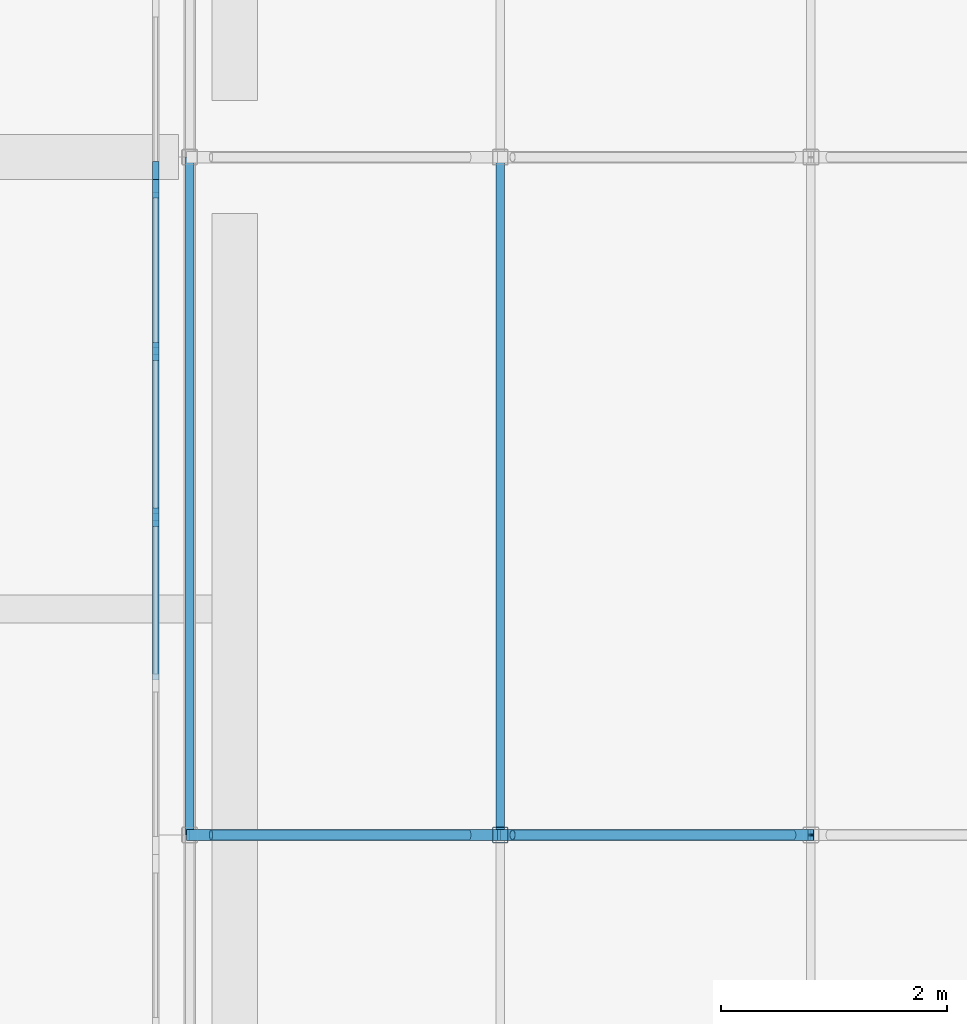
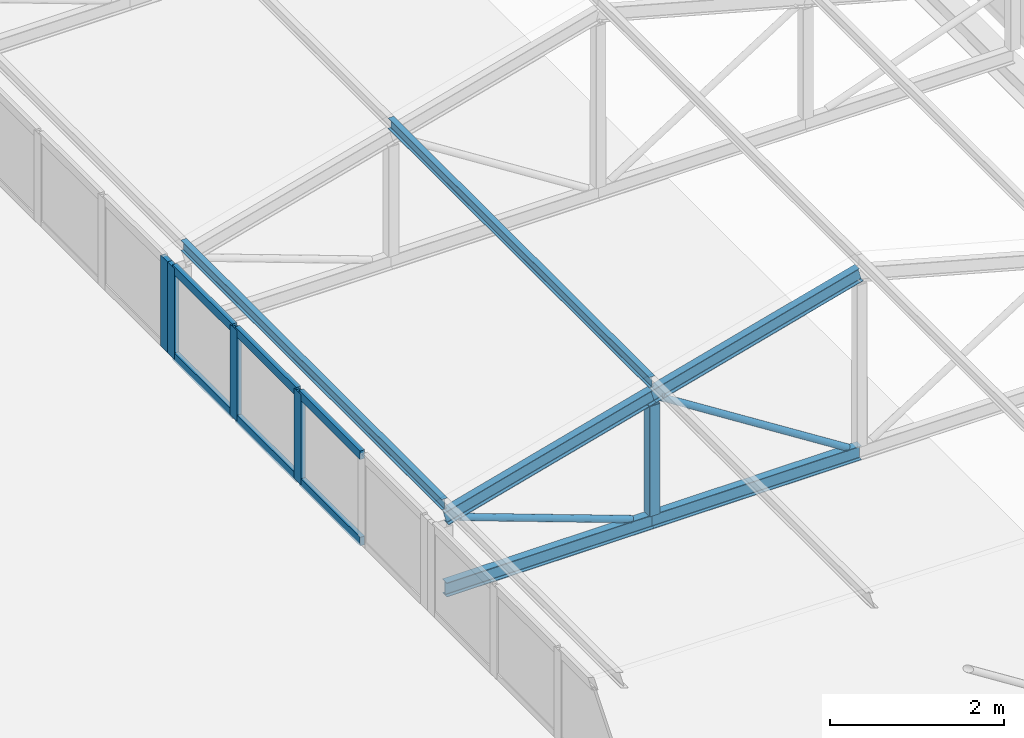
# One storey, part 43 of 94: 19 members, 2 elements without a shape of their own.
"""IFC4 building model written with IfcOpenShell, lengths in metres."""

import ifcopenshell
import ifcopenshell.guid

model = None  # the IFC model being written
_history = None  # IfcOwnerHistory: only IFC2X3 demands one
_inside = {}  # id of a spatial element -> (the spatial element, [elements in it])
_under = {}  # id of a project, library or spatial element -> (it, [spatial elements below it])
_declared = {}  # id of a project -> (the project, [libraries it declares])
_typed = {}  # id of a type object -> (the type object, [elements of that type])
_made_of = {}  # id of a material, layer set ... -> (it, [elements and type objects made of it])


def new_model(schema):
    """Start an empty IFC model of exactly this schema.

    Asked for "IFC4X3", IfcOpenShell would pick the latest addendum, in which some entities
    have other attributes; the version numbers below select the first issue.
    IFC2X3 requires an IfcOwnerHistory on every rooted entity: one is made here for all.
    """
    global model, _history
    if schema == "IFC4X3":
        model = ifcopenshell.file(schema_version=(4, 3, 0, 0))
    else:
        model = ifcopenshell.file(schema=schema)
    _inside.clear()
    _under.clear()
    _declared.clear()
    _typed.clear()
    _made_of.clear()
    _history = None
    if model.schema == "IFC2X3":
        org = make("IfcOrganization", Name="unknown")
        user = make(
            "IfcPersonAndOrganization",
            ThePerson=make("IfcPerson", FamilyName="unknown"),
            TheOrganization=org,
        )
        app = make(
            "IfcApplication",
            ApplicationDeveloper=org,
            Version="unknown",
            ApplicationFullName="unknown",
            ApplicationIdentifier="unknown",
        )
        _history = make(
            "IfcOwnerHistory",
            OwningUser=user,
            OwningApplication=app,
            ChangeAction="ADDED",
            CreationDate=0,
        )
    return model


def make(cls, **values):
    """One entity of the class cls with the attributes given. An attribute that is None is left unset."""
    return model.create_entity(
        cls, **{name: value for name, value in values.items() if value is not None}
    )


def rooted(cls, **values):
    """An entity with a GlobalId (a new one), such as an element, a storey or a relation."""
    return make(cls, GlobalId=ifcopenshell.guid.new(), OwnerHistory=_history, **values)


def si_unit(unit_type, name, prefix=None):
    """IfcSIUnit, for example si_unit("LENGTHUNIT", "METRE", prefix="MILLI")."""
    return make("IfcSIUnit", UnitType=unit_type, Prefix=prefix, Name=name)


def assignment(units):
    """IfcUnitAssignment: the units of a project."""
    return None if units is None else make("IfcUnitAssignment", Units=units)


def point(xyz):
    """IfcCartesianPoint."""
    return None if xyz is None else make("IfcCartesianPoint", Coordinates=xyz)


def direction(xyz):
    """IfcDirection."""
    return None if xyz is None else make("IfcDirection", DirectionRatios=xyz)


def frame(location, z_axis=None, x_axis=None):
    """IfcAxis2Placement3D, a coordinate frame: its origin and axes. An axis left out is left unset."""
    return make(
        "IfcAxis2Placement3D",
        Location=point(location),
        Axis=direction(z_axis),
        RefDirection=direction(x_axis),
    )


def frame_2d(location, x_axis=None):
    """IfcAxis2Placement2D, a coordinate frame in the plane: its origin and x axis."""
    return make(
        "IfcAxis2Placement2D", Location=point(location), RefDirection=direction(x_axis)
    )


def origin():
    """The frame at (0, 0, 0) with its axes left unset."""
    return frame((0.0, 0.0, 0.0))


def origin_2d():
    """The frame at (0, 0) in the plane with its x axis left unset."""
    return frame_2d((0.0, 0.0))


def place(relative_to, where):
    """IfcLocalPlacement: puts the frame where relative to a parent placement (None: the world)."""
    return make(
        "IfcLocalPlacement", PlacementRelTo=relative_to, RelativePlacement=where
    )


def context(
    kind, dimensions, precision=None, world=None, true_north=None, identifier=None
):
    """IfcGeometricRepresentationContext, for example the 3D "Model" context."""
    return make(
        "IfcGeometricRepresentationContext",
        ContextIdentifier=identifier,
        ContextType=kind,
        CoordinateSpaceDimension=dimensions,
        Precision=precision,
        WorldCoordinateSystem=world,
        TrueNorth=true_north,
    )


def subcontext(parent, identifier, kind, view, scale=None):
    """IfcGeometricRepresentationSubContext, for example "Body" below "Model"."""
    return make(
        "IfcGeometricRepresentationSubContext",
        ContextIdentifier=identifier,
        ContextType=kind,
        ParentContext=parent,
        TargetScale=scale,
        TargetView=view,
    )


def project(units=None, contexts=None):
    """IfcProject with its units and contexts."""
    return rooted(
        "IfcProject",
        Name="project",
        RepresentationContexts=contexts,
        UnitsInContext=assignment(units),
    )


def spatial(cls, under=None, at=None, **own):
    """A site, building, storey or space (cls), placed at a placement, below another one or the project."""
    s = rooted(cls, ObjectPlacement=at, **own)
    if under is not None:
        _under.setdefault(under.id(), (under, []))[1].append(s)
    return s


def profile(cls, at=None, kind="AREA", **sizes):
    """A parametric profile (cls). Its sizes go by their IFC names, for example OverallWidth=200.0."""
    return make(cls, ProfileType=kind, Position=at, **sizes)


def rectangle(**sizes):
    """IfcRectangleProfileDef."""
    return profile("IfcRectangleProfileDef", **sizes)


def hollow_rectangle(**sizes):
    """IfcRectangleHollowProfileDef."""
    return profile("IfcRectangleHollowProfileDef", **sizes)


def hollow_circle(**sizes):
    """IfcCircleHollowProfileDef."""
    return profile("IfcCircleHollowProfileDef", **sizes)


def i_section(**sizes):
    """IfcIShapeProfileDef."""
    return profile("IfcIShapeProfileDef", **sizes)


def extrude(swept, where, along, depth):
    """IfcExtrudedAreaSolid: the profile swept, set in the frame where, extruded along a direction by depth."""
    return make(
        "IfcExtrudedAreaSolid",
        SweptArea=swept,
        Position=where,
        ExtrudedDirection=direction(along),
        Depth=depth,
    )


def shape(context_of_items, identifier, shape_type, items):
    """IfcShapeRepresentation: the items that make up one representation, for example the "Body"."""
    return make(
        "IfcShapeRepresentation",
        ContextOfItems=context_of_items,
        RepresentationIdentifier=identifier,
        RepresentationType=shape_type,
        Items=items,
    )


def material(Name=None, Category=None):
    """IfcMaterial."""
    return make("IfcMaterial", Name=Name, Category=Category)


def layer(
    of_material, thickness, ventilated=None, Name=None, Category=None, Priority=None
):
    """IfcMaterialLayer: one layer of a wall or slab, of a material (None: an air gap)."""
    return make(
        "IfcMaterialLayer",
        Material=of_material,
        LayerThickness=thickness,
        IsVentilated=ventilated,
        Name=Name,
        Category=Category,
        Priority=Priority,
    )


def layer_set(layers, Name=None):
    """IfcMaterialLayerSet."""
    return make("IfcMaterialLayerSet", MaterialLayers=layers, LayerSetName=Name)


def material_profile(
    of_material, cross_section, Name=None, Category=None, Priority=None
):
    """IfcMaterialProfile: a cross section and its material."""
    return make(
        "IfcMaterialProfile",
        Name=Name,
        Material=of_material,
        Profile=cross_section,
        Priority=Priority,
        Category=Category,
    )


def profile_set(profiles, Name=None, composite=None):
    """IfcMaterialProfileSet."""
    return make(
        "IfcMaterialProfileSet",
        Name=Name,
        MaterialProfiles=profiles,
        CompositeProfile=composite,
    )


def made_of(thing, what):
    """Note that an element or type object is made of a material, layer set ...; save() writes the relation."""
    if what is not None:
        _made_of.setdefault(what.id(), (what, []))[1].append(thing)
    return thing


def type_object(cls, material=None, **own):
    """A type object (cls), such as IfcWallType, which elements share."""
    return made_of(rooted(cls, **own), material)


def element(
    cls,
    number,
    at=None,
    inside=None,
    cuts=None,
    type_object=None,
    material=None,
    context=None,
    identifier="Body",
    shape_type=None,
    held_by="IfcProductDefinitionShape",
    body=None,
    shapes=None,
    **own,
):
    """One element of the class cls, such as IfcWall. Its Tag is "e" and its number.

    at: its placement. inside: the storey or other place that contains it. cuts: it is an
    opening in that element (IfcRelVoidsElement). A single representation is given by context,
    identifier, shape_type and body (its items); several are given by shapes. held_by: the class
    of the entity that holds the representations. save() writes the other relations.
    """
    e = rooted(cls, Tag="e%d" % number, ObjectPlacement=at, **own)
    if body is not None:
        shapes = [shape(context, identifier, shape_type, body)]
    if shapes is not None:
        e.Representation = make(held_by, Representations=shapes)
    if inside is not None:
        _inside.setdefault(inside.id(), (inside, []))[1].append(e)
    if cuts is not None:
        rooted(
            "IfcRelVoidsElement", RelatingBuildingElement=cuts, RelatedOpeningElement=e
        )
    if type_object is not None:
        _typed.setdefault(type_object.id(), (type_object, []))[1].append(e)
    return made_of(e, material)


def aggregate(whole, parts):
    """IfcRelAggregates: a whole, such as a stair, and the parts it consists of."""
    return rooted("IfcRelAggregates", RelatingObject=whole, RelatedObjects=parts)


def save(model, path):
    """Write the relations noted so far, then the file.

    IfcRelAggregates (storeys below a building ...), IfcRelContainedInSpatialStructure (elements
    in a storey), IfcRelDefinesByType, IfcRelAssociatesMaterial and IfcRelDeclares: one each for
    every whole, place, type object, material and project.
    """
    for whole, parts in _under.values():
        aggregate(whole, parts)
    for where, things in _inside.values():
        rooted(
            "IfcRelContainedInSpatialStructure",
            RelatedElements=things,
            RelatingStructure=where,
        )
    for kind, things in _typed.values():
        rooted("IfcRelDefinesByType", RelatedObjects=things, RelatingType=kind)
    for what, things in _made_of.values():
        rooted("IfcRelAssociatesMaterial", RelatedObjects=things, RelatingMaterial=what)
    for by, libraries in _declared.values():
        rooted("IfcRelDeclares", RelatingContext=by, RelatedDefinitions=libraries)
    model.write(path)


model = new_model("IFC4")

# Units and contexts
model_context = context("Model", 3, precision=1e-05, world=origin(), true_north=direction((0.0, 1.0)))
body_context = subcontext(model_context, "Body", "Model", "MODEL_VIEW")
ifc_project = project(units=[si_unit("LENGTHUNIT", "METRE"), si_unit("AREAUNIT", "SQUARE_METRE"), si_unit("VOLUMEUNIT", "CUBIC_METRE"), si_unit("PLANEANGLEUNIT", "RADIAN"), si_unit("MASSUNIT", "GRAM", prefix="KILO")], contexts=[model_context])

# Site, building, storey
site_placement = place(None, origin())
site = spatial("IfcSite", under=ifc_project, at=site_placement, CompositionType="ELEMENT")
building_placement = place(site_placement, origin())
building = spatial("IfcBuilding", under=site, at=building_placement, Name="Lilac Gate Convention Centre", CompositionType="ELEMENT")
storey_placement = place(building_placement, frame((0.0, 0.0, 21.0)))
storey = spatial("IfcBuildingStorey", under=building, at=storey_placement, Name="L04", CompositionType="ELEMENT", Elevation=21.0)

# Curtain wall, members
ifc_material_1 = material(Name="Aluminium framed double glazing", Category="aluminium")
ifc_layer = layer(ifc_material_1, 0.199951171875)
ifc_layer_set = layer_set([ifc_layer], Name="Aluminium framed double glazing")
curtain_wall_type = type_object("IfcCurtainWallType", Name="Unitised curtain wall 1500", PredefinedType="NOTDEFINED", material=ifc_layer_set)
curtain_wall_1_placement = place(storey_placement, origin())
curtain_wall_1 = element("IfcCurtainWall", 1, at=curtain_wall_1_placement, inside=storey, type_object=curtain_wall_type, Name="Lantern clerestory W 24", PredefinedType="NOTDEFINED")
ifc_material_2 = material(Name="Aluminium alloy 6063", Category="aluminium")
ifc_material_profile_1 = material_profile(ifc_material_2, rectangle(XDim=0.06005859375, YDim=0.159912109375, at=origin_2d()), Name="Curtain wall mullion 60 x 160")
ifc_profile_set_1 = profile_set([ifc_material_profile_1], Name="Aluminium alloy 6063")
member_type_1 = type_object("IfcMemberType", Name="Curtain wall mullion 60 x 160", PredefinedType="MULLION", material=ifc_profile_set_1)
member_1_placement = place(storey_placement, frame((17.300048828125, 170.8125, 0.0), z_axis=(0.0, 0.0, 1.0), x_axis=(-1.0, 0.0, 0.0)))
member_1 = element("IfcMember", 2, at=member_1_placement, type_object=member_type_1, Name="CW mullion 3", PredefinedType="MULLION", context=body_context, shape_type="SweptSolid", body=[
    extrude(rectangle(XDim=0.06005859375, YDim=0.159912109375, at=origin_2d()), origin(), (0.0, 0.0, 1.0), 1.272216796875),
])
member_2_placement = place(storey_placement, frame((17.300048828125, 172.28125, 0.0), z_axis=(0.0, 0.0, 1.0), x_axis=(-1.0, 0.0, 0.0)))
member_2 = element("IfcMember", 3, at=member_2_placement, type_object=member_type_1, Name="CW mullion 4", PredefinedType="MULLION", context=body_context, shape_type="SweptSolid", body=[
    extrude(rectangle(XDim=0.06005859375, YDim=0.159912109375, at=origin_2d()), origin(), (0.0, 0.0, 1.0), 1.272216796875),
])
member_3_placement = place(storey_placement, frame((17.300048828125, 173.719970703125, 0.0), z_axis=(0.0, 0.0, 1.0), x_axis=(-1.0, 0.0, 0.0)))
member_3 = element("IfcMember", 4, at=member_3_placement, type_object=member_type_1, Name="CW mullion 5", PredefinedType="MULLION", context=body_context, shape_type="SweptSolid", body=[
    extrude(rectangle(XDim=0.06005859375, YDim=0.159912109375, at=origin_2d()), origin(), (0.0, 0.0, 1.0), 1.272216796875),
])

# Curtain wall, member
curtain_wall_2_placement = place(storey_placement, origin())
curtain_wall_2 = element("IfcCurtainWall", 5, at=curtain_wall_2_placement, inside=storey, type_object=curtain_wall_type, Name="Lantern clerestory W 25", PredefinedType="NOTDEFINED")
member_4_placement = place(storey_placement, frame((17.300048828125, 173.880126953125, 0.0), z_axis=(0.0, 0.0, 1.0), x_axis=(-1.0, 0.0, 0.0)))
member_4 = element("IfcMember", 6, at=member_4_placement, type_object=member_type_1, Name="CW mullion 1", PredefinedType="MULLION", context=body_context, shape_type="SweptSolid", body=[
    extrude(rectangle(XDim=0.06005859375, YDim=0.159912109375, at=origin_2d()), origin(), (0.0, 0.0, 1.0), 1.272216796875),
])
aggregate(curtain_wall_2, [member_4])

# Member
ifc_material_profile_2 = material_profile(ifc_material_2, rectangle(XDim=0.06005859375, YDim=0.1201171875, at=origin_2d()), Name="Curtain wall transom 60 x 120")
ifc_profile_set_2 = profile_set([ifc_material_profile_2], Name="Aluminium alloy 6063")
member_type_2 = type_object("IfcMemberType", Name="Curtain wall transom 60 x 120", PredefinedType="USERDEFINED", material=ifc_profile_set_2)
member_5_placement = place(storey_placement, frame((17.300048828125, 169.373779296875, 0.030029296875), z_axis=(0.0, 1.0, 0.0), x_axis=(-1.0, 0.0, 0.0)))
member_5 = element("IfcMember", 7, at=member_5_placement, type_object=member_type_2, Name="CW transom 2.1", ObjectType="TRANSOM", PredefinedType="USERDEFINED", context=body_context, shape_type="SweptSolid", body=[
    extrude(rectangle(XDim=0.06005859375, YDim=0.1201171875, at=origin_2d()), origin(), (0.0, 0.0, 1.0), 1.40869140625),
])

member_6_placement = place(storey_placement, frame((17.300048828125, 169.373779296875, 1.2421875), z_axis=(0.0, 1.0, 0.0), x_axis=(-1.0, 0.0, 0.0)))
member_6 = element("IfcMember", 8, at=member_6_placement, type_object=member_type_2, Name="CW transom 2.2", ObjectType="TRANSOM", PredefinedType="USERDEFINED", context=body_context, shape_type="SweptSolid", body=[
    extrude(rectangle(XDim=0.06005859375, YDim=0.1201171875, at=origin_2d()), origin(), (0.0, 0.0, 1.0), 1.40869140625),
])

member_7_placement = place(storey_placement, frame((17.300048828125, 170.842529296875, 0.030029296875), z_axis=(0.0, 1.0, 0.0), x_axis=(-1.0, 0.0, 0.0)))
member_7 = element("IfcMember", 9, at=member_7_placement, type_object=member_type_2, Name="CW transom 3.1", ObjectType="TRANSOM", PredefinedType="USERDEFINED", context=body_context, shape_type="SweptSolid", body=[
    extrude(rectangle(XDim=0.06005859375, YDim=0.1201171875, at=origin_2d()), origin(), (0.0, 0.0, 1.0), 1.40869140625),
])

member_8_placement = place(storey_placement, frame((17.300048828125, 170.842529296875, 1.2421875), z_axis=(0.0, 1.0, 0.0), x_axis=(-1.0, 0.0, 0.0)))
member_8 = element("IfcMember", 10, at=member_8_placement, type_object=member_type_2, Name="CW transom 3.2", ObjectType="TRANSOM", PredefinedType="USERDEFINED", context=body_context, shape_type="SweptSolid", body=[
    extrude(rectangle(XDim=0.06005859375, YDim=0.1201171875, at=origin_2d()), origin(), (0.0, 0.0, 1.0), 1.40869140625),
])

member_9_placement = place(storey_placement, frame((17.300048828125, 172.311279296875, 0.030029296875), z_axis=(0.0, 1.0, 0.0), x_axis=(-1.0, 0.0, 0.0)))
member_9 = element("IfcMember", 11, at=member_9_placement, type_object=member_type_2, Name="CW transom 4.1", ObjectType="TRANSOM", PredefinedType="USERDEFINED", context=body_context, shape_type="SweptSolid", body=[
    extrude(rectangle(XDim=0.06005859375, YDim=0.1201171875, at=origin_2d()), origin(), (0.0, 0.0, 1.0), 1.378662109375),
])

member_10_placement = place(storey_placement, frame((17.300048828125, 172.311279296875, 1.2421875), z_axis=(0.0, 1.0, 0.0), x_axis=(-1.0, 0.0, 0.0)))
member_10 = element("IfcMember", 12, at=member_10_placement, type_object=member_type_2, Name="CW transom 4.2", ObjectType="TRANSOM", PredefinedType="USERDEFINED", context=body_context, shape_type="SweptSolid", body=[
    extrude(rectangle(XDim=0.06005859375, YDim=0.1201171875, at=origin_2d()), origin(), (0.0, 0.0, 1.0), 1.378662109375),
])

aggregate(curtain_wall_1, [member_1, member_2, member_3, member_5, member_6, member_7, member_8, member_9, member_10])

# Members
ifc_material_3 = material(Name="Steel Q355B", Category="steel")
ifc_material_profile_3 = material_profile(ifc_material_3, i_section(OverallWidth=0.10009765625, OverallDepth=0.199951171875, WebThickness=0.005615234375, FlangeThickness=0.008056640625, FilletRadius=0.008056640625, at=origin_2d()), Name="HN200x100x5.5x8")
ifc_profile_set_3 = profile_set([ifc_material_profile_3], Name="Steel Q355B")
member_type_3 = type_object("IfcMemberType", Name="Lantern bottom chord HN200x100x5.5x8", PredefinedType="CHORD", material=ifc_profile_set_3)
for number, where, z_axis, x_axis, name in (
    (13, (17.60009765625, 168.0, 0.10009765625), (1.0, 0.0, 0.0), (0.0, 1.0, 0.0), "LB1 lantern truss 24 bottom chord 1"),
    (14, (20.35009765625, 168.0, 0.10009765625), (1.0, 0.0, 0.0), (0.0, 1.0, 0.0), "LB1 lantern truss 24 bottom chord 2"),
):
    element("IfcMember", number, at=place(storey_placement, frame(where, z_axis=z_axis, x_axis=x_axis)), inside=storey, type_object=member_type_3, Name=name, PredefinedType="CHORD", context=body_context, shape_type="SweptSolid", body=[
        extrude(i_section(OverallWidth=0.10009765625, OverallDepth=0.199951171875, WebThickness=0.005615234375, FlangeThickness=0.008056640625, FilletRadius=0.008056640625, at=origin_2d()), origin(), (0.0, 0.0, 1.0), 2.75),
    ])
ifc_material_profile_4 = material_profile(ifc_material_3, hollow_circle(Radius=0.04443359375, WallThickness=0.0048828125, at=origin_2d()), Name="CHS88.9x5")
ifc_profile_set_4 = profile_set([ifc_material_profile_4], Name="Steel Q355B")
member_type_4 = type_object("IfcMemberType", Name="Lantern diagonal CHS88.9x5", PredefinedType="BRACE", material=ifc_profile_set_4)
member_11_placement = place(storey_placement, frame((17.789794921875, 168.0, 1.031005859375), z_axis=(0.939781696917, 0.0, -0.341775309434), x_axis=(0.0, 1.0, 0.0)))
element("IfcMember", 15, at=member_11_placement, inside=storey, type_object=member_type_4, Name="LW1 lantern truss 24 diagonal 1", PredefinedType="BRACE", context=body_context, shape_type="SweptSolid", body=[
    extrude(hollow_circle(Radius=0.04443359375, WallThickness=0.0048828125, at=origin_2d()), origin(), (0.0, 0.0, 1.0), 2.431640625),
])
member_12_placement = place(storey_placement, frame((20.45849609375, 168.0, 1.781005859375), z_axis=(0.843647832412, 0.0, -0.536896949951), x_axis=(0.0, 1.0, 0.0)))
element("IfcMember", 16, at=member_12_placement, inside=storey, type_object=member_type_4, Name="LW1 lantern truss 24 diagonal 2", PredefinedType="BRACE", context=body_context, shape_type="SweptSolid", body=[
    extrude(hollow_circle(Radius=0.04443359375, WallThickness=0.0048828125, at=origin_2d()), origin(), (0.0, 0.0, 1.0), 2.94482421875),
])
ifc_material_profile_5 = material_profile(ifc_material_3, hollow_rectangle(XDim=0.139892578125, YDim=0.139892578125, WallThickness=0.0048828125, InnerFilletRadius=0.0048828125, OuterFilletRadius=0.010009765625, at=origin_2d()), Name="SHS140x140x5")
ifc_profile_set_5 = profile_set([ifc_material_profile_5], Name="Steel Q355B")
member_type_5 = type_object("IfcMemberType", Name="Lantern post SHS140x140x5", PredefinedType="STRUT", material=ifc_profile_set_5)
member_13_placement = place(storey_placement, frame((20.35009765625, 168.0, 0.199951171875), z_axis=(0.0, 0.0, 1.0), x_axis=(1.0, 0.0, 0.0)))
element("IfcMember", 17, at=member_13_placement, inside=storey, type_object=member_type_5, Name="LV1 lantern truss 24 post 2", PredefinedType="STRUT", context=body_context, shape_type="SweptSolid", body=[
    extrude(hollow_rectangle(XDim=0.139892578125, YDim=0.139892578125, WallThickness=0.0048828125, InnerFilletRadius=0.0048828125, OuterFilletRadius=0.010009765625, at=origin_2d()), origin(), (0.0, 0.0, 1.0), 1.546142578125),
])
ifc_material_profile_6 = material_profile(ifc_material_3, i_section(OverallWidth=0.074951171875, OverallDepth=0.14990234375, WebThickness=0.0048828125, FlangeThickness=0.007080078125, FilletRadius=0.008056640625, at=origin_2d()), Name="HN150x75x5x7")
ifc_profile_set_6 = profile_set([ifc_material_profile_6], Name="Steel Q355B")
member_type_6 = type_object("IfcMemberType", Name="Lantern purlin HN150x75x5x7", PredefinedType="PURLIN", material=ifc_profile_set_6)
for number, where, z_axis, x_axis, name in (
    (18, (17.60009765625, 168.0, 1.279052734375), (0.0, 1.0, 0.0), (-1.0, 0.0, 0.0), "LP1 lantern purlin bay 24 line 1"),
    (19, (20.35009765625, 168.0, 2.029052734375), (0.0, 1.0, 0.0), (-1.0, 0.0, 0.0), "LP1 lantern purlin bay 24 line 2"),
):
    element("IfcMember", number, at=place(storey_placement, frame(where, z_axis=z_axis, x_axis=x_axis)), inside=storey, type_object=member_type_6, Name=name, PredefinedType="PURLIN", context=body_context, shape_type="SweptSolid", body=[
        extrude(i_section(OverallWidth=0.074951171875, OverallDepth=0.14990234375, WebThickness=0.0048828125, FlangeThickness=0.007080078125, FilletRadius=0.008056640625, at=origin_2d()), origin(), (0.0, 0.0, 1.0), 6.0),
    ])
ifc_material_profile_7 = material_profile(ifc_material_3, i_section(OverallWidth=0.10009765625, OverallDepth=0.199951171875, WebThickness=0.005615234375, FlangeThickness=0.008056640625, FilletRadius=0.008056640625, at=origin_2d()), Name="HN200x100x5.5x8")
ifc_profile_set_7 = profile_set([ifc_material_profile_7], Name="Steel Q355B")
member_type_7 = type_object("IfcMemberType", Name="Lantern top chord HN200x100x5.5x8", PredefinedType="CHORD", material=ifc_profile_set_7)
for number, where, z_axis, x_axis, name in (
    (20, (17.60009765625, 168.0, 1.10009765625), (0.964763821238, 0.0, 0.263117405792), (0.0, 1.0, 0.0), "LT1 lantern truss 24 top chord 1"),
    (21, (20.35009765625, 168.0, 1.85009765625), (0.964763821238, 0.0, 0.263117405792), (0.0, 1.0, 0.0), "LT1 lantern truss 24 top chord 2"),
):
    element("IfcMember", number, at=place(storey_placement, frame(where, z_axis=z_axis, x_axis=x_axis)), inside=storey, type_object=member_type_7, Name=name, PredefinedType="CHORD", context=body_context, shape_type="SweptSolid", body=[
        extrude(i_section(OverallWidth=0.10009765625, OverallDepth=0.199951171875, WebThickness=0.005615234375, FlangeThickness=0.008056640625, FilletRadius=0.008056640625, at=origin_2d()), origin(), (0.0, 0.0, 1.0), 2.850341796875),
    ])

save(model, "model.ifc")
